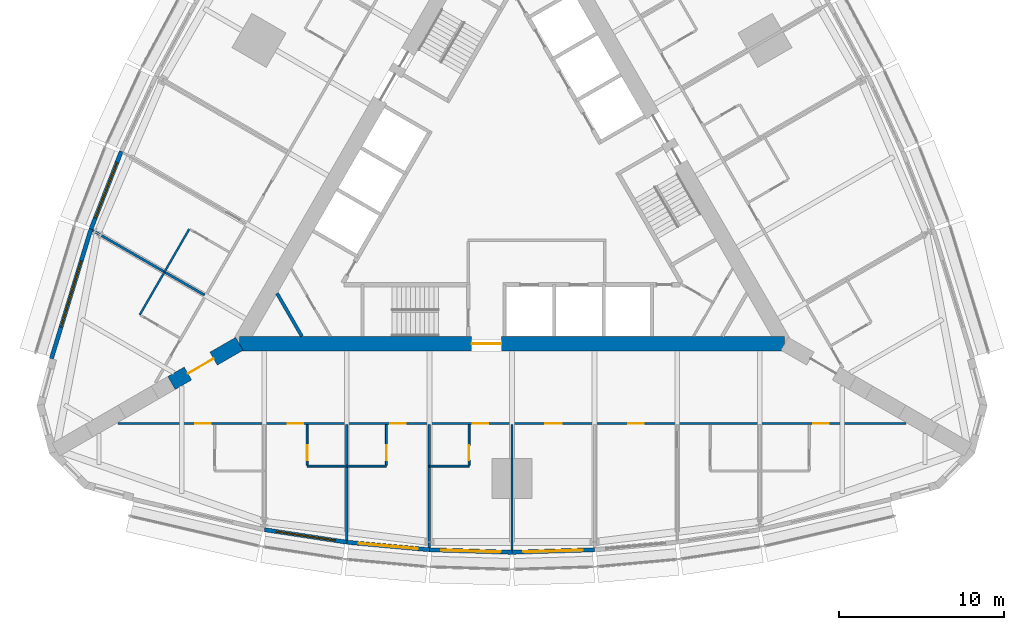
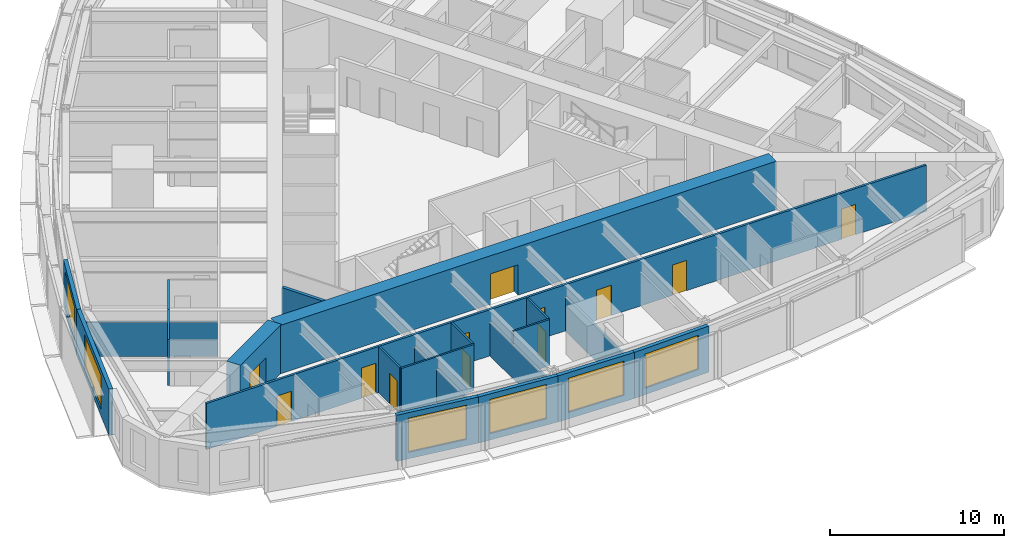
# One storey, part 8 of 14: 22 walls, 12 doors, 6 windows, 18 openings.
"""IFC4 building model written with IfcOpenShell, lengths in metres."""

from ifc_helpers import new_model, si_unit, direction, frame, frame_2d, origin, place, context, subcontext, project, spatial, rectangle, extrude, material, layer, layer_set, type_object, element, fill, save


model = new_model("IFC4")

# Units and contexts
model_context = context("Model", 3, precision=1e-05, world=origin(), true_north=direction((0.0, 1.0)))
body_context = subcontext(model_context, "Body", "Model", "MODEL_VIEW")
ifc_project = project(units=[si_unit("LENGTHUNIT", "METRE"), si_unit("AREAUNIT", "SQUARE_METRE"), si_unit("VOLUMEUNIT", "CUBIC_METRE"), si_unit("PLANEANGLEUNIT", "RADIAN"), si_unit("MASSUNIT", "GRAM", prefix="KILO")], contexts=[model_context])

# Site, building, storey
site_placement = place(None, origin())
site = spatial("IfcSite", under=ifc_project, at=site_placement, CompositionType="ELEMENT")
building_placement = place(site_placement, origin())
building = spatial("IfcBuilding", under=site, at=building_placement, Name="Trikona Tower", CompositionType="ELEMENT")
storey_placement = place(building_placement, frame((0.0, 0.0, 65.89990234375)))
storey = spatial("IfcBuildingStorey", under=building, at=storey_placement, Name="L16", CompositionType="ELEMENT", Elevation=65.89990234375)

# Wall
ifc_material_1 = material(Name="Metal stud and cement board", Category="gypsum")
ifc_layer_1 = layer(ifc_material_1, 0.1201171875)
ifc_layer_set_1 = layer_set([ifc_layer_1], Name="Bathroom wall 120")
wall_type_1 = type_object("IfcWallType", Name="Bathroom wall 120", PredefinedType="PLUMBINGWALL", material=ifc_layer_set_1)
wall_1_placement = place(storey_placement, frame((-12.39990234375, -16.92626953125, 0.0), z_axis=(0.0, 0.0, 1.0), x_axis=(1.0, 0.0, 0.0)))
element("IfcWall", 1, at=wall_1_placement, inside=storey, type_object=wall_type_1, Name="Bathroom wall 1602", PredefinedType="PLUMBINGWALL", context=body_context, shape_type="SweptSolid", body=[
    extrude(rectangle(XDim=2.39990234375, YDim=0.1201171875, at=frame_2d((1.199951171875, 0.0))), origin(), (0.0, 0.0, 1.0), 3.235107421875),
])

# Wall, opening, door
wall_2_placement = place(storey_placement, frame((-12.39990234375, -14.42626953125, 0.0), z_axis=(0.0, 0.0, 1.0), x_axis=(0.0, -1.0, 0.0)))
wall_2 = element("IfcWall", 2, at=wall_2_placement, inside=storey, type_object=wall_type_1, Name="Bathroom wall 1602", PredefinedType="PLUMBINGWALL", context=body_context, shape_type="SweptSolid", body=[
    extrude(rectangle(XDim=2.43994140625, YDim=0.1201171875, at=frame_2d((1.219970703125, 0.0))), origin(), (0.0, 0.0, 1.0), 3.235107421875),
])
opening_1_placement = place(wall_2_placement, frame((1.25, 0.0, 0.0)))
opening_1 = element("IfcOpeningElement", 3, at=opening_1_placement, cuts=wall_2, Name="Opening D2", PredefinedType="OPENING", context=body_context, shape_type="SweptSolid", body=[
    extrude(rectangle(XDim=0.89990234375, YDim=2.1298828125, at=frame_2d((0.449951171875, 1.06494140625))), frame((0.0, 0.070068359375, 0.0), z_axis=(0.0, -1.0, 0.0), x_axis=(1.0, 0.0, 0.0)), (0.0, 0.0, 1.0), 0.14013671875),
])
ifc_material_2 = material(Name="Steel door frame with solid-core timber leaf", Category="steel")
door_type_1 = type_object("IfcDoorType", Name="Bathroom door 900x2130", OperationType="SLIDING_TO_LEFT", PredefinedType="DOOR", material=ifc_material_2)
door_1_placement = place(opening_1_placement, origin())
door_1 = element("IfcDoor", 4, at=door_1_placement, inside=storey, type_object=door_type_1, Name="Bathroom door 1602", OperationType="SLIDING_TO_LEFT", OverallHeight=2.1298828125, OverallWidth=0.89990234375, PredefinedType="DOOR", context=body_context, shape_type="SweptSolid", body=[
    extrude(rectangle(XDim=0.89990234375, YDim=2.1298828125, at=frame_2d((0.449951171875, 1.06494140625))), frame((0.0, 0.02490234375, 0.0), z_axis=(0.0, -1.0, 0.0), x_axis=(1.0, 0.0, 0.0)), (0.0, 0.0, 1.0), 0.050048828125),
])
fill(opening_1, door_1)

# Wall
wall_3_placement = place(storey_placement, frame((-10.0, -16.92626953125, 0.0), z_axis=(0.0, 0.0, 1.0), x_axis=(1.0, 0.0, 0.0)))
element("IfcWall", 5, at=wall_3_placement, inside=storey, type_object=wall_type_1, Name="Bathroom wall 1603", PredefinedType="PLUMBINGWALL", context=body_context, shape_type="SweptSolid", body=[
    extrude(rectangle(XDim=2.39990234375, YDim=0.1201171875, at=frame_2d((1.199951171875, 0.0))), origin(), (0.0, 0.0, 1.0), 3.235107421875),
])

# Wall, opening, door
wall_4_placement = place(storey_placement, frame((-7.60009765625, -14.42626953125, 0.0), z_axis=(0.0, 0.0, 1.0), x_axis=(0.0, -1.0, 0.0)))
wall_4 = element("IfcWall", 6, at=wall_4_placement, inside=storey, type_object=wall_type_1, Name="Bathroom wall 1603", PredefinedType="PLUMBINGWALL", context=body_context, shape_type="SweptSolid", body=[
    extrude(rectangle(XDim=2.43994140625, YDim=0.1201171875, at=frame_2d((1.219970703125, 0.0))), origin(), (0.0, 0.0, 1.0), 3.235107421875),
])
opening_2_placement = place(wall_4_placement, frame((1.25, 0.0, 0.0)))
opening_2 = element("IfcOpeningElement", 7, at=opening_2_placement, cuts=wall_4, Name="Opening D2", PredefinedType="OPENING", context=body_context, shape_type="SweptSolid", body=[
    extrude(rectangle(XDim=0.89990234375, YDim=2.1298828125, at=frame_2d((0.449951171875, 1.06494140625))), frame((0.0, 0.070068359375, 0.0), z_axis=(0.0, -1.0, 0.0), x_axis=(1.0, 0.0, 0.0)), (0.0, 0.0, 1.0), 0.14013671875),
])
door_2_placement = place(opening_2_placement, origin())
door_2 = element("IfcDoor", 8, at=door_2_placement, inside=storey, type_object=door_type_1, Name="Bathroom door 1603", OperationType="SLIDING_TO_LEFT", OverallHeight=2.1298828125, OverallWidth=0.89990234375, PredefinedType="DOOR", context=body_context, shape_type="SweptSolid", body=[
    extrude(rectangle(XDim=0.89990234375, YDim=2.1298828125, at=frame_2d((0.449951171875, 1.06494140625))), frame((0.0, 0.02490234375, 0.0), z_axis=(0.0, -1.0, 0.0), x_axis=(1.0, 0.0, 0.0)), (0.0, 0.0, 1.0), 0.050048828125),
])
fill(opening_2, door_2)

# Wall
wall_5_placement = place(storey_placement, frame((-5.0, -16.92626953125, 0.0), z_axis=(0.0, 0.0, 1.0), x_axis=(1.0, 0.0, 0.0)))
element("IfcWall", 9, at=wall_5_placement, inside=storey, type_object=wall_type_1, Name="Bathroom wall 1604", PredefinedType="PLUMBINGWALL", context=body_context, shape_type="SweptSolid", body=[
    extrude(rectangle(XDim=2.39990234375, YDim=0.1201171875, at=frame_2d((1.199951171875, 0.0))), origin(), (0.0, 0.0, 1.0), 3.235107421875),
])

# Wall, opening, door
wall_6_placement = place(storey_placement, frame((-2.60009765625, -14.42626953125, 0.0), z_axis=(0.0, 0.0, 1.0), x_axis=(0.0, -1.0, 0.0)))
wall_6 = element("IfcWall", 10, at=wall_6_placement, inside=storey, type_object=wall_type_1, Name="Bathroom wall 1604", PredefinedType="PLUMBINGWALL", context=body_context, shape_type="SweptSolid", body=[
    extrude(rectangle(XDim=2.43994140625, YDim=0.1201171875, at=frame_2d((1.219970703125, 0.0))), origin(), (0.0, 0.0, 1.0), 3.235107421875),
])
opening_3_placement = place(wall_6_placement, frame((1.25, 0.0, 0.0)))
opening_3 = element("IfcOpeningElement", 11, at=opening_3_placement, cuts=wall_6, Name="Opening D2", PredefinedType="OPENING", context=body_context, shape_type="SweptSolid", body=[
    extrude(rectangle(XDim=0.89990234375, YDim=2.1298828125, at=frame_2d((0.449951171875, 1.06494140625))), frame((0.0, 0.070068359375, 0.0), z_axis=(0.0, -1.0, 0.0), x_axis=(1.0, 0.0, 0.0)), (0.0, 0.0, 1.0), 0.14013671875),
])
door_3_placement = place(opening_3_placement, origin())
door_3 = element("IfcDoor", 12, at=door_3_placement, inside=storey, type_object=door_type_1, Name="Bathroom door 1604", OperationType="SLIDING_TO_LEFT", OverallHeight=2.1298828125, OverallWidth=0.89990234375, PredefinedType="DOOR", context=body_context, shape_type="SweptSolid", body=[
    extrude(rectangle(XDim=0.89990234375, YDim=2.1298828125, at=frame_2d((0.449951171875, 1.06494140625))), frame((0.0, 0.02490234375, 0.0), z_axis=(0.0, -1.0, 0.0), x_axis=(1.0, 0.0, 0.0)), (0.0, 0.0, 1.0), 0.050048828125),
])
fill(opening_3, door_3)

# Walls
for number, where, z_axis, x_axis, name in (
    (13, (-19.53271484375, -2.5791015625, 0.0), (0.0, 0.0, 1.0), (-0.499990139034, -0.866031096941, 0.0), "Bathroom wall 1616.1"),
    (14, (-21.03271484375, -5.17724609375, 0.0), (0.0, 0.0, 1.0), (-0.499990139034, -0.866031096941, 0.0), "Bathroom wall 1617"),
):
    element("IfcWall", number, at=place(storey_placement, frame(where, z_axis=z_axis, x_axis=x_axis)), inside=storey, type_object=wall_type_1, Name=name, PredefinedType="PLUMBINGWALL", context=body_context, shape_type="SweptSolid", body=[
        extrude(rectangle(XDim=3.0, YDim=0.1201171875, at=frame_2d((1.5, 0.0))), origin(), (0.0, 0.0, 1.0), 3.235107421875),
    ])

# Wall, opening, door
ifc_material_3 = material(Name="Concrete f'c 10000 psi", Category="concrete")
ifc_layer_2 = layer(ifc_material_3, 0.89990234375)
ifc_layer_set_2 = layer_set([ifc_layer_2], Name="Buttress wall 900")
wall_type_2 = type_object("IfcWallType", Name="Buttress wall 900", PredefinedType="SHEAR", material=ifc_layer_set_2)
wall_7_placement = place(storey_placement, frame((-16.5, -9.5263671875, 0.0), z_axis=(0.0, 0.0, 1.0), x_axis=(-0.866031398331, -0.499989616998, 0.0)))
wall_7 = element("IfcWall", 15, at=wall_7_placement, inside=storey, type_object=wall_type_2, Name="Buttress wall 3", PredefinedType="SHEAR", context=body_context, shape_type="SweptSolid", body=[
    extrude(rectangle(XDim=4.74609375, YDim=0.89990234375, at=frame_2d((2.373046875, 0.0))), origin(), (0.0, 0.0, 1.0), 3.400146484375),
])
opening_4_placement = place(wall_7_placement, frame((1.800048828125, 0.0, 0.0)))
opening_4 = element("IfcOpeningElement", 16, at=opening_4_placement, cuts=wall_7, Name="Opening D10", PredefinedType="OPENING", context=body_context, shape_type="SweptSolid", body=[
    extrude(rectangle(XDim=1.800048828125, YDim=2.1298828125, at=frame_2d((0.89990234375, 1.06494140625))), frame((0.0, 0.4599609375, 0.0), z_axis=(0.0, -1.0, 0.0), x_axis=(1.0, 0.0, 0.0)), (0.0, 0.0, 1.0), 0.919921875),
])
ifc_material_4 = material(Name="Hollow metal door and frame", Category="steel")
door_type_2 = type_object("IfcDoorType", Name="Cross-corridor door pair 1800x2130", OperationType="DOUBLE_DOOR_DOUBLE_SWING", PredefinedType="DOOR", material=ifc_material_4)
door_4_placement = place(opening_4_placement, origin())
door_4 = element("IfcDoor", 17, at=door_4_placement, inside=storey, type_object=door_type_2, Name="Cross-corridor door 3", OperationType="DOUBLE_DOOR_DOUBLE_SWING", OverallHeight=2.1298828125, OverallWidth=1.800048828125, PredefinedType="DOOR", context=body_context, shape_type="SweptSolid", body=[
    extrude(rectangle(XDim=1.800048828125, YDim=2.1298828125, at=frame_2d((0.89990234375, 1.06494140625))), frame((0.0, 0.02490234375, 0.0), z_axis=(0.0, -1.0, 0.0), x_axis=(1.0, 0.0, 0.0)), (0.0, 0.0, 1.0), 0.050048828125),
])
fill(opening_4, door_4)

ifc_material_5 = material(Name="Concrete f'c 10000 psi", Category="concrete")
ifc_layer_3 = layer(ifc_material_5, 0.89990234375)
ifc_layer_set_3 = layer_set([ifc_layer_3], Name="Core wall 900")
wall_type_3 = type_object("IfcWallType", Name="Core wall 900", PredefinedType="SHEAR", material=ifc_layer_set_3)
wall_8_placement = place(storey_placement, frame((-16.5, -9.5263671875, 0.0), z_axis=(0.0, 0.0, 1.0), x_axis=(1.0, 0.0, 0.0)))
wall_8 = element("IfcWall", 18, at=wall_8_placement, inside=storey, type_object=wall_type_3, Name="Core wall A", PredefinedType="SHEAR", context=body_context, shape_type="SweptSolid", body=[
    extrude(rectangle(XDim=33.0, YDim=0.89990234375, at=frame_2d((16.5, 0.0))), origin(), (0.0, 0.0, 1.0), 3.400146484375),
])
opening_5_placement = place(wall_8_placement, frame((14.050048828125, 0.0, 0.0)))
opening_5 = element("IfcOpeningElement", 19, at=opening_5_placement, cuts=wall_8, Name="Opening D6", PredefinedType="OPENING", context=body_context, shape_type="SweptSolid", body=[
    extrude(rectangle(XDim=1.800048828125, YDim=2.1298828125, at=frame_2d((0.89990234375, 1.06494140625))), frame((0.0, 0.4599609375, 0.0), z_axis=(0.0, -1.0, 0.0), x_axis=(1.0, 0.0, 0.0)), (0.0, 0.0, 1.0), 0.919921875),
])
ifc_material_6 = material(Name="Hollow metal door and frame", Category="steel")
door_type_3 = type_object("IfcDoorType", Name="Lobby door pair 1800x2130", OperationType="DOUBLE_DOOR_SINGLE_SWING", PredefinedType="DOOR", material=ifc_material_6)
door_5_placement = place(opening_5_placement, origin())
door_5 = element("IfcDoor", 20, at=door_5_placement, inside=storey, type_object=door_type_3, Name="Fire service lift lobby door", OperationType="DOUBLE_DOOR_SINGLE_SWING", OverallHeight=2.1298828125, OverallWidth=1.800048828125, PredefinedType="DOOR", context=body_context, shape_type="SweptSolid", body=[
    extrude(rectangle(XDim=1.800048828125, YDim=2.1298828125, at=frame_2d((0.89990234375, 1.06494140625))), frame((0.0, 0.02490234375, 0.0), z_axis=(0.0, -1.0, 0.0), x_axis=(1.0, 0.0, 0.0)), (0.0, 0.0, 1.0), 0.050048828125),
])
fill(opening_5, door_5)

# Wall, openings, doors
ifc_material_7 = material(Name="Metal stud and gypsum board, 1-hour", Category="gypsum")
ifc_layer_4 = layer(ifc_material_7, 0.14990234375)
ifc_layer_set_4 = layer_set([ifc_layer_4], Name="Corridor wall 150")
wall_type_4 = type_object("IfcWallType", Name="Corridor wall 150", PredefinedType="PARTITIONING", material=ifc_layer_set_4)
wall_9_placement = place(storey_placement, frame((-23.857177734375, -14.351318359375, 0.0), z_axis=(0.0, 0.0, 1.0), x_axis=(1.0, 0.0, 0.0)))
wall_9 = element("IfcWall", 21, at=wall_9_placement, inside=storey, type_object=wall_type_4, Name="Corridor wall L16-1", PredefinedType="PARTITIONING", context=body_context, shape_type="SweptSolid", body=[
    extrude(rectangle(XDim=47.71435546875, YDim=0.14990234375, at=frame_2d((23.857177734375, 0.0))), origin(), (0.0, 0.0, 1.0), 3.235107421875),
])
opening_6_placement = place(wall_9_placement, frame((4.68212890625, 0.0, 0.0)))
opening_6 = element("IfcOpeningElement", 22, at=opening_6_placement, cuts=wall_9, Name="Opening D1", PredefinedType="OPENING", context=body_context, shape_type="SweptSolid", body=[
    extrude(rectangle(XDim=0.949951171875, YDim=2.1298828125, at=frame_2d((0.47509765625, 1.06494140625))), frame((0.0, 0.0849609375, 0.0), z_axis=(0.0, -1.0, 0.0), x_axis=(1.0, 0.0, 0.0)), (0.0, 0.0, 1.0), 0.169921875),
])
opening_7_placement = place(wall_9_placement, frame((10.281982421875, 0.0, 0.0)))
opening_7 = element("IfcOpeningElement", 23, at=opening_7_placement, cuts=wall_9, Name="Opening D1", PredefinedType="OPENING", context=body_context, shape_type="SweptSolid", body=[
    extrude(rectangle(XDim=0.949951171875, YDim=2.1298828125, at=frame_2d((0.47509765625, 1.06494140625))), frame((0.0, 0.0849609375, 0.0), z_axis=(0.0, -1.0, 0.0), x_axis=(1.0, 0.0, 0.0)), (0.0, 0.0, 1.0), 0.169921875),
])
opening_8_placement = place(wall_9_placement, frame((16.482177734375, 0.0, 0.0)))
opening_8 = element("IfcOpeningElement", 24, at=opening_8_placement, cuts=wall_9, Name="Opening D1", PredefinedType="OPENING", context=body_context, shape_type="SweptSolid", body=[
    extrude(rectangle(XDim=0.949951171875, YDim=2.1298828125, at=frame_2d((0.47509765625, 1.06494140625))), frame((0.0, 0.0849609375, 0.0), z_axis=(0.0, -1.0, 0.0), x_axis=(1.0, 0.0, 0.0)), (0.0, 0.0, 1.0), 0.169921875),
])
opening_9_placement = place(wall_9_placement, frame((21.482177734375, 0.0, 0.0)))
opening_9 = element("IfcOpeningElement", 25, at=opening_9_placement, cuts=wall_9, Name="Opening D1", PredefinedType="OPENING", context=body_context, shape_type="SweptSolid", body=[
    extrude(rectangle(XDim=0.949951171875, YDim=2.1298828125, at=frame_2d((0.47509765625, 1.06494140625))), frame((0.0, 0.0849609375, 0.0), z_axis=(0.0, -1.0, 0.0), x_axis=(1.0, 0.0, 0.0)), (0.0, 0.0, 1.0), 0.169921875),
])
opening_10_placement = place(wall_9_placement, frame((25.857177734375, 0.0, 0.0)))
opening_10 = element("IfcOpeningElement", 26, at=opening_10_placement, cuts=wall_9, Name="Opening D3", PredefinedType="OPENING", context=body_context, shape_type="SweptSolid", body=[
    extrude(rectangle(XDim=1.0, YDim=2.1298828125, at=frame_2d((0.5, 1.06494140625))), frame((0.0, 0.0849609375, 0.0), z_axis=(0.0, -1.0, 0.0), x_axis=(1.0, 0.0, 0.0)), (0.0, 0.0, 1.0), 0.169921875),
])
opening_11_placement = place(wall_9_placement, frame((30.882080078125, 0.0, 0.0)))
opening_11 = element("IfcOpeningElement", 27, at=opening_11_placement, cuts=wall_9, Name="Opening D1", PredefinedType="OPENING", context=body_context, shape_type="SweptSolid", body=[
    extrude(rectangle(XDim=0.949951171875, YDim=2.1298828125, at=frame_2d((0.47509765625, 1.06494140625))), frame((0.0, 0.0849609375, 0.0), z_axis=(0.0, -1.0, 0.0), x_axis=(1.0, 0.0, 0.0)), (0.0, 0.0, 1.0), 0.169921875),
])
opening_12_placement = place(wall_9_placement, frame((42.08203125, 0.0, 0.0)))
opening_12 = element("IfcOpeningElement", 28, at=opening_12_placement, cuts=wall_9, Name="Opening D1", PredefinedType="OPENING", context=body_context, shape_type="SweptSolid", body=[
    extrude(rectangle(XDim=0.949951171875, YDim=2.1298828125, at=frame_2d((0.47509765625, 1.06494140625))), frame((0.0, 0.0849609375, 0.0), z_axis=(0.0, -1.0, 0.0), x_axis=(1.0, 0.0, 0.0)), (0.0, 0.0, 1.0), 0.169921875),
])
ifc_material_8 = material(Name="Steel door frame with solid-core timber leaf", Category="steel")
door_type_4 = type_object("IfcDoorType", Name="Guest room door 950x2130", OperationType="SINGLE_SWING_LEFT", PredefinedType="DOOR", material=ifc_material_8)
door_6_placement = place(opening_6_placement, origin())
door_6 = element("IfcDoor", 29, at=door_6_placement, inside=storey, type_object=door_type_4, Name="Room door 1601", OperationType="SINGLE_SWING_LEFT", OverallHeight=2.1298828125, OverallWidth=0.949951171875, PredefinedType="DOOR", context=body_context, shape_type="SweptSolid", body=[
    extrude(rectangle(XDim=0.949951171875, YDim=2.1298828125, at=frame_2d((0.47509765625, 1.06494140625))), frame((0.0, 0.02490234375, 0.0), z_axis=(0.0, -1.0, 0.0), x_axis=(1.0, 0.0, 0.0)), (0.0, 0.0, 1.0), 0.050048828125),
])
fill(opening_6, door_6)
door_7_placement = place(opening_7_placement, origin())
door_7 = element("IfcDoor", 30, at=door_7_placement, inside=storey, type_object=door_type_4, Name="Room door 1602", OperationType="SINGLE_SWING_RIGHT", OverallHeight=2.1298828125, OverallWidth=0.949951171875, PredefinedType="DOOR", context=body_context, shape_type="SweptSolid", body=[
    extrude(rectangle(XDim=0.949951171875, YDim=2.1298828125, at=frame_2d((0.47509765625, 1.06494140625))), frame((0.0, 0.02490234375, 0.0), z_axis=(0.0, -1.0, 0.0), x_axis=(1.0, 0.0, 0.0)), (0.0, 0.0, 1.0), 0.050048828125),
])
fill(opening_7, door_7)
door_8_placement = place(opening_8_placement, origin())
door_8 = element("IfcDoor", 31, at=door_8_placement, inside=storey, type_object=door_type_4, Name="Room door 1603", OperationType="SINGLE_SWING_LEFT", OverallHeight=2.1298828125, OverallWidth=0.949951171875, PredefinedType="DOOR", context=body_context, shape_type="SweptSolid", body=[
    extrude(rectangle(XDim=0.949951171875, YDim=2.1298828125, at=frame_2d((0.47509765625, 1.06494140625))), frame((0.0, 0.02490234375, 0.0), z_axis=(0.0, -1.0, 0.0), x_axis=(1.0, 0.0, 0.0)), (0.0, 0.0, 1.0), 0.050048828125),
])
fill(opening_8, door_8)
door_9_placement = place(opening_9_placement, origin())
door_9 = element("IfcDoor", 32, at=door_9_placement, inside=storey, type_object=door_type_4, Name="Room door 1604", OperationType="SINGLE_SWING_RIGHT", OverallHeight=2.1298828125, OverallWidth=0.949951171875, PredefinedType="DOOR", context=body_context, shape_type="SweptSolid", body=[
    extrude(rectangle(XDim=0.949951171875, YDim=2.1298828125, at=frame_2d((0.47509765625, 1.06494140625))), frame((0.0, 0.02490234375, 0.0), z_axis=(0.0, -1.0, 0.0), x_axis=(1.0, 0.0, 0.0)), (0.0, 0.0, 1.0), 0.050048828125),
])
fill(opening_9, door_9)
door_10_placement = place(opening_11_placement, origin())
door_10 = element("IfcDoor", 33, at=door_10_placement, inside=storey, type_object=door_type_4, Name="Room door 1605", OperationType="SINGLE_SWING_RIGHT", OverallHeight=2.1298828125, OverallWidth=0.949951171875, PredefinedType="DOOR", context=body_context, shape_type="SweptSolid", body=[
    extrude(rectangle(XDim=0.949951171875, YDim=2.1298828125, at=frame_2d((0.47509765625, 1.06494140625))), frame((0.0, 0.02490234375, 0.0), z_axis=(0.0, -1.0, 0.0), x_axis=(1.0, 0.0, 0.0)), (0.0, 0.0, 1.0), 0.050048828125),
])
fill(opening_11, door_10)
door_11_placement = place(opening_12_placement, origin())
door_11 = element("IfcDoor", 34, at=door_11_placement, inside=storey, type_object=door_type_4, Name="Room door 1606", OperationType="SINGLE_SWING_LEFT", OverallHeight=2.1298828125, OverallWidth=0.949951171875, PredefinedType="DOOR", context=body_context, shape_type="SweptSolid", body=[
    extrude(rectangle(XDim=0.949951171875, YDim=2.1298828125, at=frame_2d((0.47509765625, 1.06494140625))), frame((0.0, 0.02490234375, 0.0), z_axis=(0.0, -1.0, 0.0), x_axis=(1.0, 0.0, 0.0)), (0.0, 0.0, 1.0), 0.050048828125),
])
fill(opening_12, door_11)
ifc_material_9 = material(Name="Steel door frame with solid-core timber leaf", Category="steel")
door_type_5 = type_object("IfcDoorType", Name="Room door 1000x2130", OperationType="SINGLE_SWING_LEFT", PredefinedType="DOOR", material=ifc_material_9)
door_12_placement = place(opening_10_placement, origin())
door_12 = element("IfcDoor", 35, at=door_12_placement, inside=storey, type_object=door_type_5, Name="Door Housekeeping pantry", OperationType="SINGLE_SWING_LEFT", OverallHeight=2.1298828125, OverallWidth=1.0, PredefinedType="DOOR", context=body_context, shape_type="SweptSolid", body=[
    extrude(rectangle(XDim=1.0, YDim=2.1298828125, at=frame_2d((0.5, 1.06494140625))), frame((0.0, 0.02490234375, 0.0), z_axis=(0.0, -1.0, 0.0), x_axis=(1.0, 0.0, 0.0)), (0.0, 0.0, 1.0), 0.050048828125),
])
fill(opening_10, door_12)

# Wall, opening, window
ifc_material_10 = material(Name="Insulated precast concrete spandrel panel", Category="concrete")
ifc_layer_5 = layer(ifc_material_10, 0.25)
ifc_layer_set_5 = layer_set([ifc_layer_5], Name="Inner skin wall 250")
wall_type_5 = type_object("IfcWallType", Name="Inner skin wall 250", PredefinedType="STANDARD", material=ifc_layer_set_5)
wall_10_placement = place(storey_placement, frame((-14.981201171875, -20.779296875, 0.0), z_axis=(0.0, 0.0, 1.0), x_axis=(0.988615403399, -0.150464561152, 0.0)))
wall_10 = element("IfcWall", 36, at=wall_10_placement, inside=storey, type_object=wall_type_5, Name="External wall L16-01", PredefinedType="STANDARD", context=body_context, shape_type="SweptSolid", body=[
    extrude(rectangle(XDim=5.0576171875, YDim=0.25, at=frame_2d((2.52880859375, 0.0))), origin(), (0.0, 0.0, 1.0), 3.235107421875),
])
opening_13_placement = place(wall_10_placement, frame((0.728759765625, 0.0, 0.449951171875)))
opening_13 = element("IfcOpeningElement", 37, at=opening_13_placement, cuts=wall_10, Name="Opening W3624", PredefinedType="OPENING", context=body_context, shape_type="SweptSolid", body=[
    extrude(rectangle(XDim=3.60009765625, YDim=2.39990234375, at=frame_2d((1.800048828125, 1.199951171875))), frame((0.0, 0.135009765625, 0.0), z_axis=(0.0, -1.0, 0.0), x_axis=(1.0, 0.0, 0.0)), (0.0, 0.0, 1.0), 0.27001953125),
])
ifc_material_11 = material(Name="Aluminium-framed double glazing", Category="aluminium")
window_type_1 = type_object("IfcWindowType", Name="Window 3600x2400", PartitioningType="SINGLE_PANEL", PredefinedType="WINDOW", material=ifc_material_11)
window_1_placement = place(opening_13_placement, origin())
window_1 = element("IfcWindow", 38, at=window_1_placement, inside=storey, type_object=window_type_1, Name="Window 1602", OverallHeight=2.39990234375, OverallWidth=3.60009765625, PartitioningType="SINGLE_PANEL", PredefinedType="WINDOW", context=body_context, shape_type="SweptSolid", body=[
    extrude(rectangle(XDim=3.60009765625, YDim=2.39990234375, at=frame_2d((1.800048828125, 1.199951171875))), frame((0.0, 0.030029296875, 0.0), z_axis=(0.0, -1.0, 0.0), x_axis=(1.0, 0.0, 0.0)), (0.0, 0.0, 1.0), 0.06005859375),
])
fill(opening_13, window_1)

wall_11_placement = place(storey_placement, frame((-9.988525390625, -21.539306640625, 0.0), z_axis=(0.0, 0.0, 1.0), x_axis=(0.995857256774, -0.090930325692, 0.0)))
wall_11 = element("IfcWall", 39, at=wall_11_placement, inside=storey, type_object=wall_type_5, Name="External wall L16-02", PredefinedType="STANDARD", context=body_context, shape_type="SweptSolid", body=[
    extrude(rectangle(XDim=5.020751953125, YDim=0.25, at=frame_2d((2.51025390625, 0.0))), origin(), (0.0, 0.0, 1.0), 3.235107421875),
])
opening_14_placement = place(wall_11_placement, frame((0.71044921875, 0.0, 0.449951171875)))
opening_14 = element("IfcOpeningElement", 40, at=opening_14_placement, cuts=wall_11, Name="Opening W3624", PredefinedType="OPENING", context=body_context, shape_type="SweptSolid", body=[
    extrude(rectangle(XDim=3.60009765625, YDim=2.39990234375, at=frame_2d((1.800048828125, 1.199951171875))), frame((0.0, 0.135009765625, 0.0), z_axis=(0.0, -1.0, 0.0), x_axis=(1.0, 0.0, 0.0)), (0.0, 0.0, 1.0), 0.27001953125),
])
window_2_placement = place(opening_14_placement, origin())
window_2 = element("IfcWindow", 41, at=window_2_placement, inside=storey, type_object=window_type_1, Name="Window 1603", OverallHeight=2.39990234375, OverallWidth=3.60009765625, PartitioningType="SINGLE_PANEL", PredefinedType="WINDOW", context=body_context, shape_type="SweptSolid", body=[
    extrude(rectangle(XDim=3.60009765625, YDim=2.39990234375, at=frame_2d((1.800048828125, 1.199951171875))), frame((0.0, 0.030029296875, 0.0), z_axis=(0.0, -1.0, 0.0), x_axis=(1.0, 0.0, 0.0)), (0.0, 0.0, 1.0), 0.06005859375),
])
fill(opening_14, window_2)

wall_12_placement = place(storey_placement, frame((-4.99609375, -21.99560546875, 0.0), z_axis=(0.0, 0.0, 1.0), x_axis=(0.999537635046, -0.030405856769, 0.0)))
wall_12 = element("IfcWall", 42, at=wall_12_placement, inside=storey, type_object=wall_type_5, Name="External wall L16-03", PredefinedType="STANDARD", context=body_context, shape_type="SweptSolid", body=[
    extrude(rectangle(XDim=5.002197265625, YDim=0.25, at=frame_2d((2.5009765625, 0.0))), origin(), (0.0, 0.0, 1.0), 3.235107421875),
])
opening_15_placement = place(wall_12_placement, frame((0.701171875, 0.0, 0.449951171875)))
opening_15 = element("IfcOpeningElement", 43, at=opening_15_placement, cuts=wall_12, Name="Opening W3624", PredefinedType="OPENING", context=body_context, shape_type="SweptSolid", body=[
    extrude(rectangle(XDim=3.60009765625, YDim=2.39990234375, at=frame_2d((1.800048828125, 1.199951171875))), frame((0.0, 0.135009765625, 0.0), z_axis=(0.0, -1.0, 0.0), x_axis=(1.0, 0.0, 0.0)), (0.0, 0.0, 1.0), 0.27001953125),
])
window_3_placement = place(opening_15_placement, origin())
window_3 = element("IfcWindow", 44, at=window_3_placement, inside=storey, type_object=window_type_1, Name="Window 1604", OverallHeight=2.39990234375, OverallWidth=3.60009765625, PartitioningType="SINGLE_PANEL", PredefinedType="WINDOW", context=body_context, shape_type="SweptSolid", body=[
    extrude(rectangle(XDim=3.60009765625, YDim=2.39990234375, at=frame_2d((1.800048828125, 1.199951171875))), frame((0.0, 0.030029296875, 0.0), z_axis=(0.0, -1.0, 0.0), x_axis=(1.0, 0.0, 0.0)), (0.0, 0.0, 1.0), 0.06005859375),
])
fill(opening_15, window_3)

wall_13_placement = place(storey_placement, frame((-0.00390625, -22.147705078125, 0.0), z_axis=(0.0, 0.0, 1.0), x_axis=(0.999537635046, 0.030405856769, 0.0)))
wall_13 = element("IfcWall", 45, at=wall_13_placement, inside=storey, type_object=wall_type_5, Name="External wall L16-04", PredefinedType="STANDARD", context=body_context, shape_type="SweptSolid", body=[
    extrude(rectangle(XDim=5.002197265625, YDim=0.25, at=frame_2d((2.5009765625, 0.0))), origin(), (0.0, 0.0, 1.0), 3.235107421875),
])
opening_16_placement = place(wall_13_placement, frame((0.701171875, 0.0, 0.449951171875)))
opening_16 = element("IfcOpeningElement", 46, at=opening_16_placement, cuts=wall_13, Name="Opening W3624", PredefinedType="OPENING", context=body_context, shape_type="SweptSolid", body=[
    extrude(rectangle(XDim=3.60009765625, YDim=2.39990234375, at=frame_2d((1.800048828125, 1.199951171875))), frame((0.0, 0.135009765625, 0.0), z_axis=(0.0, -1.0, 0.0), x_axis=(1.0, 0.0, 0.0)), (0.0, 0.0, 1.0), 0.27001953125),
])
window_4_placement = place(opening_16_placement, origin())
window_4 = element("IfcWindow", 47, at=window_4_placement, inside=storey, type_object=window_type_1, Name="Window L16-HKP", OverallHeight=2.39990234375, OverallWidth=3.60009765625, PartitioningType="SINGLE_PANEL", PredefinedType="WINDOW", context=body_context, shape_type="SweptSolid", body=[
    extrude(rectangle(XDim=3.60009765625, YDim=2.39990234375, at=frame_2d((1.800048828125, 1.199951171875))), frame((0.0, 0.030029296875, 0.0), z_axis=(0.0, -1.0, 0.0), x_axis=(1.0, 0.0, 0.0)), (0.0, 0.0, 1.0), 0.06005859375),
])
fill(opening_16, window_4)

wall_14_placement = place(storey_placement, frame((-23.64501953125, 2.126220703125, 0.0), z_axis=(0.0, 0.0, 1.0), x_axis=(-0.364013463868, -0.931393685894, 0.0)))
wall_14 = element("IfcWall", 48, at=wall_14_placement, inside=storey, type_object=wall_type_5, Name="External wall L16-30", PredefinedType="STANDARD", context=body_context, shape_type="SweptSolid", body=[
    extrude(rectangle(XDim=5.0576171875, YDim=0.25, at=frame_2d((2.52880859375, 0.0))), origin(), (0.0, 0.0, 1.0), 3.235107421875),
])
opening_17_placement = place(wall_14_placement, frame((0.728759765625, 0.0, 0.449951171875)))
opening_17 = element("IfcOpeningElement", 49, at=opening_17_placement, cuts=wall_14, Name="Opening W3624", PredefinedType="OPENING", context=body_context, shape_type="SweptSolid", body=[
    extrude(rectangle(XDim=3.60009765625, YDim=2.39990234375, at=frame_2d((1.800048828125, 1.199951171875))), frame((0.0, 0.135009765625, 0.0), z_axis=(0.0, -1.0, 0.0), x_axis=(1.0, 0.0, 0.0)), (0.0, 0.0, 1.0), 0.27001953125),
])
window_5_placement = place(opening_17_placement, origin())
window_5 = element("IfcWindow", 50, at=window_5_placement, inside=storey, type_object=window_type_1, Name="Window 1616.1", OverallHeight=2.39990234375, OverallWidth=3.60009765625, PartitioningType="SINGLE_PANEL", PredefinedType="WINDOW", context=body_context, shape_type="SweptSolid", body=[
    extrude(rectangle(XDim=3.60009765625, YDim=2.39990234375, at=frame_2d((1.800048828125, 1.199951171875))), frame((0.0, 0.030029296875, 0.0), z_axis=(0.0, -1.0, 0.0), x_axis=(1.0, 0.0, 0.0)), (0.0, 0.0, 1.0), 0.06005859375),
])
fill(opening_17, window_5)

wall_15_placement = place(storey_placement, frame((-25.48291015625, -2.575439453125, 0.0), z_axis=(0.0, 0.0, 1.0), x_axis=(-0.2919790669, -0.956424709265, 0.0)))
wall_15 = element("IfcWall", 51, at=wall_15_placement, inside=storey, type_object=wall_type_5, Name="External wall L16-31", PredefinedType="STANDARD", context=body_context, shape_type="SweptSolid", body=[
    extrude(rectangle(XDim=8.211181640625, YDim=0.25, at=frame_2d((4.10546875, 0.0))), origin(), (0.0, 0.0, 1.0), 3.235107421875),
])
opening_18_placement = place(wall_15_placement, frame((2.005615234375, 0.0, 0.449951171875)))
opening_18 = element("IfcOpeningElement", 52, at=opening_18_placement, cuts=wall_15, Name="Opening W4224", PredefinedType="OPENING", context=body_context, shape_type="SweptSolid", body=[
    extrude(rectangle(XDim=4.199951171875, YDim=2.39990234375, at=frame_2d((2.10009765625, 1.199951171875))), frame((0.0, 0.135009765625, 0.0), z_axis=(0.0, -1.0, 0.0), x_axis=(1.0, 0.0, 0.0)), (0.0, 0.0, 1.0), 0.27001953125),
])
ifc_material_12 = material(Name="Aluminium-framed double glazing", Category="aluminium")
window_type_2 = type_object("IfcWindowType", Name="Window 4200x2400", PartitioningType="SINGLE_PANEL", PredefinedType="WINDOW", material=ifc_material_12)
window_6_placement = place(opening_18_placement, origin())
window_6 = element("IfcWindow", 53, at=window_6_placement, inside=storey, type_object=window_type_2, Name="Window 1617", OverallHeight=2.39990234375, OverallWidth=4.199951171875, PartitioningType="SINGLE_PANEL", PredefinedType="WINDOW", context=body_context, shape_type="SweptSolid", body=[
    extrude(rectangle(XDim=4.199951171875, YDim=2.39990234375, at=frame_2d((2.10009765625, 1.199951171875))), frame((0.0, 0.030029296875, 0.0), z_axis=(0.0, -1.0, 0.0), x_axis=(1.0, 0.0, 0.0)), (0.0, 0.0, 1.0), 0.06005859375),
])
fill(opening_18, window_6)

# Walls
ifc_material_13 = material(Name="Metal stud and gypsum board, 1-hour acoustic", Category="gypsum")
ifc_layer_6 = layer(ifc_material_13, 0.14990234375)
ifc_layer_set_6 = layer_set([ifc_layer_6], Name="Party wall 150")
wall_type_6 = type_object("IfcWallType", Name="Party wall 150", PredefinedType="PARTITIONING", material=ifc_layer_set_6)
wall_16_placement = place(storey_placement, frame((-10.0, -14.42626953125, 0.0), z_axis=(0.0, 0.0, 1.0), x_axis=(0.0, -1.0, 0.0)))
element("IfcWall", 54, at=wall_16_placement, inside=storey, type_object=wall_type_6, Name="Partition L16 F1 u-10", PredefinedType="PARTITIONING", context=body_context, shape_type="SweptSolid", body=[
    extrude(rectangle(XDim=6.984619140625, YDim=0.14990234375, at=frame_2d((3.4921875, 0.0))), origin(), (0.0, 0.0, 1.0), 2.389404296875),
])
wall_17_placement = place(storey_placement, frame((-5.0, -14.42626953125, 0.0), z_axis=(0.0, 0.0, 1.0), x_axis=(0.0, -1.0, 0.0)))
element("IfcWall", 55, at=wall_17_placement, inside=storey, type_object=wall_type_6, Name="Partition L16 F1 u-5", PredefinedType="PARTITIONING", context=body_context, shape_type="SweptSolid", body=[
    extrude(rectangle(XDim=7.443115234375, YDim=0.14990234375, at=frame_2d((3.7216796875, 0.0))), origin(), (0.0, 0.0, 1.0), 2.389404296875),
])
wall_18_placement = place(storey_placement, frame((0.0, -14.42626953125, 0.0), z_axis=(0.0, 0.0, 1.0), x_axis=(0.0, -1.0, 0.0)))
element("IfcWall", 56, at=wall_18_placement, inside=storey, type_object=wall_type_6, Name="Partition L16 F1 u-1.03538e-30", PredefinedType="PARTITIONING", context=body_context, shape_type="SweptSolid", body=[
    extrude(rectangle(XDim=7.59619140625, YDim=0.14990234375, at=frame_2d((3.798095703125, 0.0))), origin(), (0.0, 0.0, 1.0), 2.389404296875),
])
wall_19_placement = place(storey_placement, frame((-18.60791015625, -6.5771484375, 0.0), z_axis=(0.0, 0.0, 1.0), x_axis=(-0.866034818847, 0.499983692279, 0.0)))
element("IfcWall", 57, at=wall_19_placement, inside=storey, type_object=wall_type_6, Name="Partition L16 F3 u15", PredefinedType="PARTITIONING", context=body_context, shape_type="SweptSolid", body=[
    extrude(rectangle(XDim=7.820068359375, YDim=0.14990234375, at=frame_2d((3.91015625, 0.0))), origin(), (0.0, 0.0, 1.0), 2.389404296875),
])
ifc_material_14 = material(Name="Concrete f'c 8000 psi", Category="concrete")
ifc_layer_7 = layer(ifc_material_14, 0.199951171875)
ifc_layer_set_7 = layer_set([ifc_layer_7], Name="Shaft wall 200")
wall_type_7 = type_object("IfcWallType", Name="Shaft wall 200", PredefinedType="SOLIDWALL", material=ifc_layer_set_7)
wall_20_placement = place(storey_placement, frame((-12.718505859375, -9.076416015625, 0.0), z_axis=(0.0, 0.0, 1.0), x_axis=(-0.499952404951, 0.866052881055, 0.0)))
element("IfcWall", 58, at=wall_20_placement, inside=storey, type_object=wall_type_7, Name="Riser wall L16-RS3", PredefinedType="SOLIDWALL", context=body_context, shape_type="SweptSolid", body=[
    extrude(rectangle(XDim=3.002197265625, YDim=0.199951171875, at=frame_2d((1.5009765625, 0.0))), origin(), (0.0, 0.0, 1.0), 3.235107421875),
])

save(model, "model.ifc")
